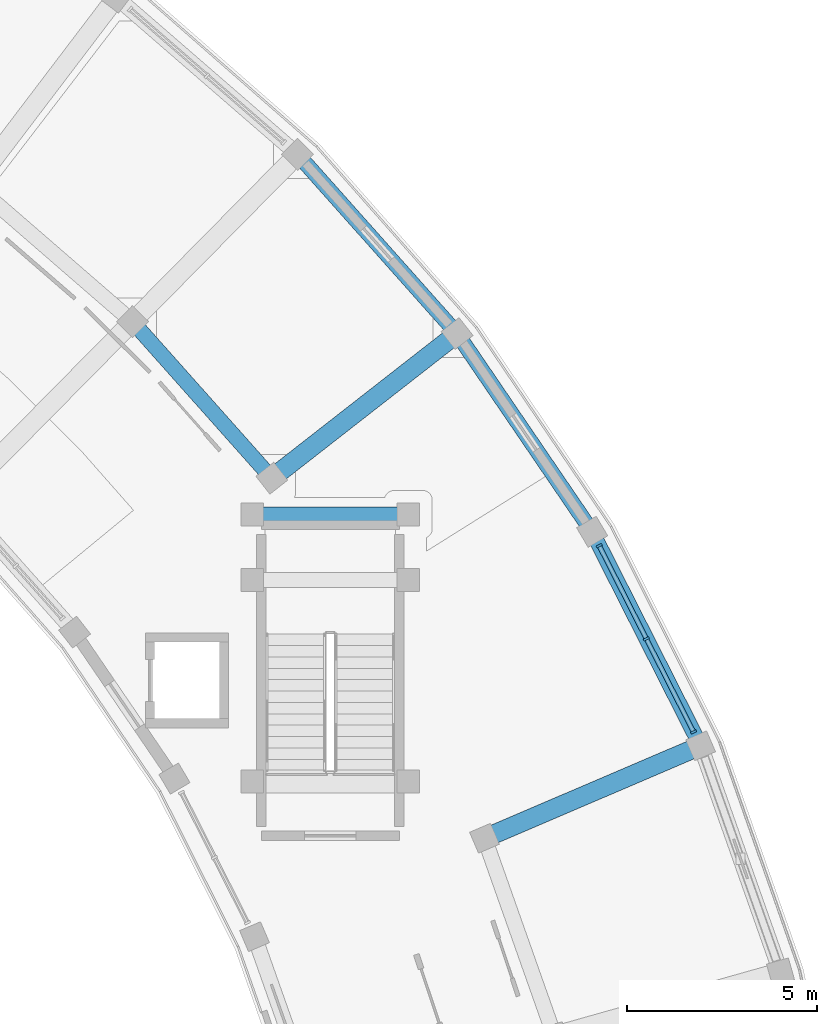
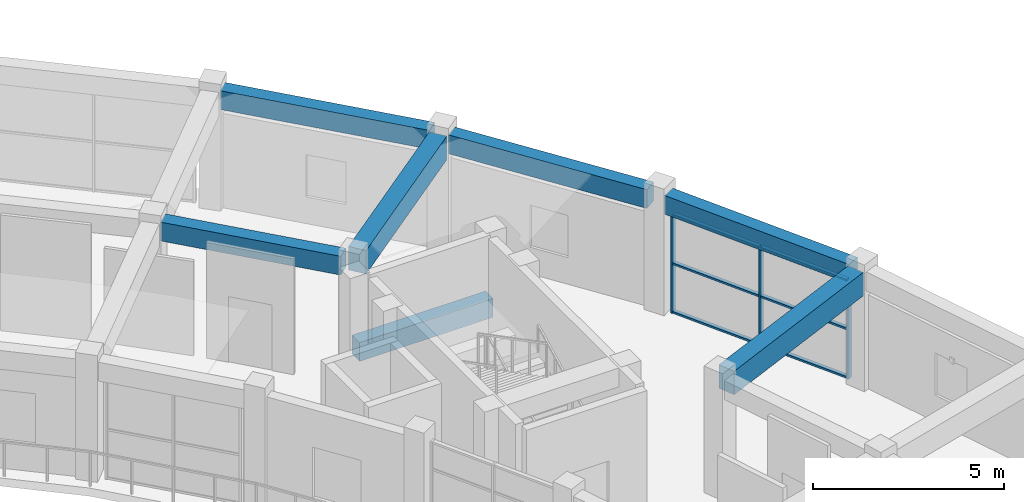
# One storey, part 35 of 70: 9 members, 7 beams, 1 element without a shape of its own.
"""IFC4 building model written with IfcOpenShell, lengths in metres."""

from ifc_helpers import new_model, si_unit, direction, frame, origin, origin_2d, place, context, subcontext, project, spatial, rectangle, extrude, material, material_profile, profile_set, type_object, element, aggregate, save


model = new_model("IFC4")

# Units and contexts
model_context = context("Model", 3, precision=1e-05, world=origin(), true_north=direction((0.0, 1.0)))
body_context = subcontext(model_context, "Body", "Model", "MODEL_VIEW")
ifc_project = project(units=[si_unit("LENGTHUNIT", "METRE"), si_unit("AREAUNIT", "SQUARE_METRE"), si_unit("VOLUMEUNIT", "CUBIC_METRE"), si_unit("PLANEANGLEUNIT", "RADIAN"), si_unit("MASSUNIT", "GRAM", prefix="KILO")], contexts=[model_context])

# Site, building, storey
site_placement = place(None, origin())
site = spatial("IfcSite", under=ifc_project, at=site_placement, CompositionType="ELEMENT")
building_placement = place(site_placement, origin())
building = spatial("IfcBuilding", under=site, at=building_placement, Name="Saryqyr Civic Hall", CompositionType="ELEMENT")
storey_placement = place(building_placement, frame((0.0, 0.0, 13.199951171875)))
storey = spatial("IfcBuildingStorey", under=building, at=storey_placement, Name="L03", CompositionType="ELEMENT", Elevation=13.199951171875)

# Curtain wall, members
ifc_material_1 = material(Name="Anodised aluminium and triple low-E glass", Category="aluminium")
curtain_wall_type = type_object("IfcCurtainWallType", Name="ENV-CW-STD-40", PredefinedType="NOTDEFINED", material=ifc_material_1)
curtain_wall_placement = place(storey_placement, origin())
curtain_wall = element("IfcCurtainWall", 1, at=curtain_wall_placement, inside=storey, type_object=curtain_wall_type, Name="Curtain wall V6-CWO-L03-03", PredefinedType="NOTDEFINED")
ifc_material_2 = material(Name="Anodised aluminium", Category="aluminium")
ifc_material_profile_1 = material_profile(ifc_material_2, rectangle(XDim=0.06005859375, YDim=0.159912109375, at=origin_2d()), Name="ALU MULLION 60x160")
ifc_profile_set_1 = profile_set([ifc_material_profile_1], Name="Anodised aluminium")
member_type_1 = type_object("IfcMemberType", Name="ENV-CW-MUL-180", PredefinedType="MULLION", material=ifc_profile_set_1)
member_1_placement = place(storey_placement, frame((99.375244140625, 108.55419921875, 0.0), z_axis=(0.0, 0.0, 1.0), x_axis=(0.451943063525, -0.892046785394, 0.0)))
member_1 = element("IfcMember", 2, at=member_1_placement, type_object=member_type_1, Name="CW-40 mullion 1", PredefinedType="MULLION", context=body_context, shape_type="SweptSolid", body=[
    extrude(rectangle(XDim=0.06005859375, YDim=0.159912109375, at=origin_2d()), origin(), (0.0, 0.0, 1.0), 3.1650390625),
])
member_2_placement = place(storey_placement, frame((100.619384765625, 106.09814453125, 0.0), z_axis=(0.0, 0.0, 1.0), x_axis=(0.451943063525, -0.892046785394, 0.0)))
member_2 = element("IfcMember", 3, at=member_2_placement, type_object=member_type_1, Name="CW-40 mullion 2", PredefinedType="MULLION", context=body_context, shape_type="SweptSolid", body=[
    extrude(rectangle(XDim=0.06005859375, YDim=0.159912109375, at=origin_2d()), origin(), (0.0, 0.0, 1.0), 3.1650390625),
])
member_3_placement = place(storey_placement, frame((101.863525390625, 103.642333984375, 0.0), z_axis=(0.0, 0.0, 1.0), x_axis=(0.451943063525, -0.892046785394, 0.0)))
member_3 = element("IfcMember", 4, at=member_3_placement, type_object=member_type_1, Name="CW-40 mullion 3", PredefinedType="MULLION", context=body_context, shape_type="SweptSolid", body=[
    extrude(rectangle(XDim=0.06005859375, YDim=0.159912109375, at=origin_2d()), origin(), (0.0, 0.0, 1.0), 3.1650390625),
])
ifc_material_profile_2 = material_profile(ifc_material_2, rectangle(XDim=0.1201171875, YDim=0.06005859375, at=origin_2d()), Name="ALU TRANSOM 120x60")
ifc_profile_set_2 = profile_set([ifc_material_profile_2], Name="Anodised aluminium")
member_type_2 = type_object("IfcMemberType", Name="ENV-CW-TRN-150", PredefinedType="USERDEFINED", material=ifc_profile_set_2)
member_4_placement = place(storey_placement, frame((99.388671875, 108.52734375, 0.030029296875), z_axis=(0.451993646857, -0.892021156252, 0.0), x_axis=(0.892021156252, 0.451993646857, 0.0)))
member_4 = element("IfcMember", 5, at=member_4_placement, type_object=member_type_2, Name="CW-40 transom 1.1", ObjectType="TRANSOM", PredefinedType="USERDEFINED", context=body_context, shape_type="SweptSolid", body=[
    extrude(rectangle(XDim=0.1201171875, YDim=0.06005859375, at=origin_2d()), origin(), (0.0, 0.0, 1.0), 2.693115234375),
])
member_5_placement = place(storey_placement, frame((99.388671875, 108.52734375, 1.58203125), z_axis=(0.451993646857, -0.892021156252, 0.0), x_axis=(0.892021156252, 0.451993646857, 0.0)))
member_5 = element("IfcMember", 6, at=member_5_placement, type_object=member_type_2, Name="CW-40 transom 1.2", ObjectType="TRANSOM", PredefinedType="USERDEFINED", context=body_context, shape_type="SweptSolid", body=[
    extrude(rectangle(XDim=0.1201171875, YDim=0.06005859375, at=origin_2d()), origin(), (0.0, 0.0, 1.0), 2.693115234375),
])
member_6_placement = place(storey_placement, frame((99.388671875, 108.52734375, 3.135009765625), z_axis=(0.451993646857, -0.892021156252, 0.0), x_axis=(0.892021156252, 0.451993646857, 0.0)))
member_6 = element("IfcMember", 7, at=member_6_placement, type_object=member_type_2, Name="CW-40 transom 1.3", ObjectType="TRANSOM", PredefinedType="USERDEFINED", context=body_context, shape_type="SweptSolid", body=[
    extrude(rectangle(XDim=0.1201171875, YDim=0.06005859375, at=origin_2d()), origin(), (0.0, 0.0, 1.0), 2.693115234375),
])
member_7_placement = place(storey_placement, frame((100.633056640625, 106.071533203125, 0.030029296875), z_axis=(0.451921510026, -0.892057704846, 0.0), x_axis=(0.892057704846, 0.451921510026, 0.0)))
member_7 = element("IfcMember", 8, at=member_7_placement, type_object=member_type_2, Name="CW-40 transom 2.1", ObjectType="TRANSOM", PredefinedType="USERDEFINED", context=body_context, shape_type="SweptSolid", body=[
    extrude(rectangle(XDim=0.1201171875, YDim=0.06005859375, at=origin_2d()), origin(), (0.0, 0.0, 1.0), 2.693115234375),
])
member_8_placement = place(storey_placement, frame((100.633056640625, 106.071533203125, 1.58203125), z_axis=(0.451921510026, -0.892057704846, 0.0), x_axis=(0.892057704846, 0.451921510026, 0.0)))
member_8 = element("IfcMember", 9, at=member_8_placement, type_object=member_type_2, Name="CW-40 transom 2.2", ObjectType="TRANSOM", PredefinedType="USERDEFINED", context=body_context, shape_type="SweptSolid", body=[
    extrude(rectangle(XDim=0.1201171875, YDim=0.06005859375, at=origin_2d()), origin(), (0.0, 0.0, 1.0), 2.693115234375),
])
member_9_placement = place(storey_placement, frame((100.633056640625, 106.071533203125, 3.135009765625), z_axis=(0.451921510026, -0.892057704846, 0.0), x_axis=(0.892057704846, 0.451921510026, 0.0)))
member_9 = element("IfcMember", 10, at=member_9_placement, type_object=member_type_2, Name="CW-40 transom 2.3", ObjectType="TRANSOM", PredefinedType="USERDEFINED", context=body_context, shape_type="SweptSolid", body=[
    extrude(rectangle(XDim=0.1201171875, YDim=0.06005859375, at=origin_2d()), origin(), (0.0, 0.0, 1.0), 2.693115234375),
])
aggregate(curtain_wall, [member_1, member_2, member_3, member_4, member_5, member_6, member_7, member_8, member_9])

# Beams
ifc_material_3 = material(Name="Concrete C35/45", Category="concrete")
ifc_material_profile_3 = material_profile(ifc_material_3, rectangle(XDim=0.39990234375, YDim=0.60009765625, at=origin_2d()), Name="RC 400x600")
ifc_profile_set_3 = profile_set([ifc_material_profile_3], Name="Concrete C35/45")
beam_type_1 = type_object("IfcBeamType", Name="STR-BM-RC400x600", PredefinedType="BEAM", material=ifc_profile_set_3)
beam_1_placement = place(storey_placement, frame((90.555419921875, 110.541015625, 3.489990234375), z_axis=(-0.664939021665, 0.746897648589, 0.0), x_axis=(-0.746897648589, -0.664939021665, 0.0)))
element("IfcBeam", 11, at=beam_1_placement, inside=storey, type_object=beam_type_1, Name="Beam V6-CBM-MID05-L03", PredefinedType="BEAM", context=body_context, shape_type="SweptSolid", body=[
    extrude(rectangle(XDim=0.39990234375, YDim=0.60009765625, at=origin_2d()), origin(), (0.0, 0.0, 1.0), 4.9775390625),
])
beam_2_placement = place(storey_placement, frame((94.300048828125, 109.3798828125, 1.525146484375), z_axis=(-1.0, 0.0, 0.0), x_axis=(0.0, -1.0, 0.0)))
element("IfcBeam", 12, at=beam_2_placement, inside=storey, type_object=beam_type_1, Name="Stair half-landing support beam ST-6-LND2-L03", PredefinedType="BEAM", context=body_context, shape_type="SweptSolid", body=[
    extrude(rectangle(XDim=0.39990234375, YDim=0.60009765625, at=origin_2d()), origin(), (0.0, 0.0, 1.0), 4.0400390625),
])
ifc_material_profile_4 = material_profile(ifc_material_3, rectangle(XDim=0.39990234375, YDim=0.60009765625, at=origin_2d()), Name="RC 400x600")
ifc_profile_set_4 = profile_set([ifc_material_profile_4], Name="Concrete C35/45")
beam_type_2 = type_object("IfcBeamType", Name="STR-BM-RC400x600-EXT", PredefinedType="BEAM", material=ifc_profile_set_4)
for number, where, z_axis, x_axis, name in (
    (13, (101.925048828125, 103.52099609375, 3.489990234375), (-0.451922654691, 0.892057124952, 0.0), (-0.892057124952, -0.451922654691, 0.0), "Beam V6-CBM-OUT03-L03"),
    (14, (99.034423828125, 109.148193359375, 3.489990234375), (-0.563115242299, 0.82637837816, 0.0), (-0.82637837816, -0.563115242299, 0.0), "Beam V6-CBM-OUT04-L03"),
    (15, (95.44287109375, 114.35595703125, 3.489990234375), (-0.664935334845, 0.74690093083, 0.0), (-0.74690093083, -0.664935334845, 0.0), "Beam V6-CBM-OUT05-L03"),
):
    element("IfcBeam", number, at=place(storey_placement, frame(where, z_axis=z_axis, x_axis=x_axis)), inside=storey, type_object=beam_type_2, Name=name, PredefinedType="BEAM", context=body_context, shape_type="SweptSolid", body=[
        extrude(rectangle(XDim=0.39990234375, YDim=0.60009765625, at=origin_2d()), origin(), (0.0, 0.0, 1.0), 5.7783203125),
    ])
ifc_material_4 = material(Name="Concrete C40/50", Category="concrete")
ifc_material_profile_5 = material_profile(ifc_material_4, rectangle(XDim=0.5, YDim=0.75, at=origin_2d()), Name="RC 500x750")
ifc_profile_set_5 = profile_set([ifc_material_profile_5], Name="Concrete C40/50")
beam_type_3 = type_object("IfcBeamType", Name="STR-BM-RC500x750", PredefinedType="BEAM", material=ifc_profile_set_5)
for number, where, z_axis, x_axis, name in (
    (16, (96.60205078125, 100.94482421875, 3.4150390625), (0.919375077042, 0.393382088706, 0.0), (-0.393382088706, 0.919375077042, 0.0), "Beam V6-RBM-B03-L03"),
    (17, (90.955078125, 110.5048828125, 3.4150390625), (0.788283067243, 0.615312770791, 0.0), (-0.615312770791, 0.788283067243, 0.0), "Beam V6-RBM-B05-L03"),
):
    element("IfcBeam", number, at=place(storey_placement, frame(where, z_axis=z_axis, x_axis=x_axis)), inside=storey, type_object=beam_type_3, Name=name, PredefinedType="BEAM", context=body_context, shape_type="SweptSolid", body=[
        extrude(rectangle(XDim=0.5, YDim=0.75, at=origin_2d()), origin(), (0.0, 0.0, 1.0), 5.650146484375),
    ])

save(model, "model.ifc")
